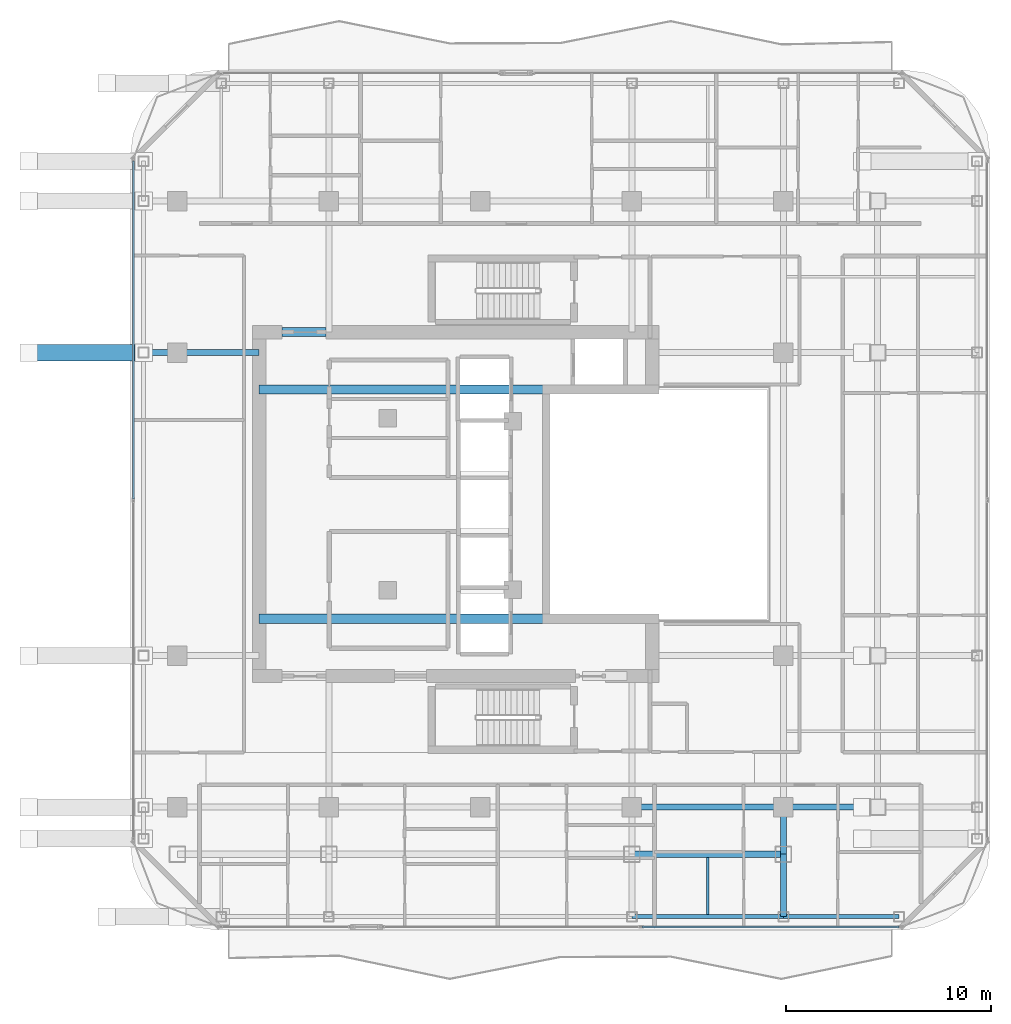
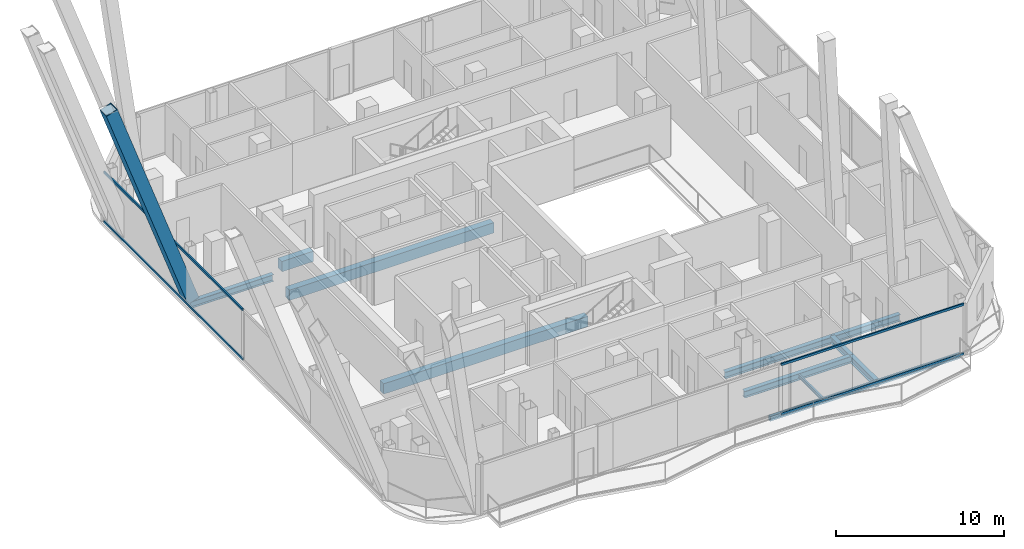
# One storey, part 6 of 27: 12 beams, 5 members, 2 elements without a shape of their own.
"""IFC4 building model written with IfcOpenShell, lengths in metres."""

from ifc_helpers import new_model, si_unit, direction, frame, origin, origin_2d, place, context, subcontext, project, spatial, rectangle, hollow_rectangle, i_section, extrude, material, layer, layer_set, material_profile, profile_set, type_object, element, aggregate, save


model = new_model("IFC4")

# Units and contexts
model_context = context("Model", 3, precision=1e-05, world=origin(), true_north=direction((0.0, 1.0)))
body_context = subcontext(model_context, "Body", "Model", "MODEL_VIEW")
ifc_project = project(units=[si_unit("LENGTHUNIT", "METRE"), si_unit("AREAUNIT", "SQUARE_METRE"), si_unit("VOLUMEUNIT", "CUBIC_METRE"), si_unit("PLANEANGLEUNIT", "RADIAN"), si_unit("MASSUNIT", "GRAM", prefix="KILO")], contexts=[model_context])

# Site, building, storey
site_placement = place(None, origin())
site = spatial("IfcSite", under=ifc_project, at=site_placement, CompositionType="ELEMENT")
building_placement = place(site_placement, origin())
building = spatial("IfcBuilding", under=site, at=building_placement, Name="Khorvyn Point Tower", CompositionType="ELEMENT")
storey_placement = place(building_placement, frame((0.0, 0.0, 270.300048828125)))
storey = spatial("IfcBuildingStorey", under=building, at=storey_placement, Name="L66", CompositionType="ELEMENT", Elevation=270.300048828125)

# Curtain wall, members
ifc_material_1 = material(Name="Anodised aluminium 6063-T6 and laminated Low-E glass", Category="aluminium")
ifc_layer = layer(ifc_material_1, 0.18994140625)
ifc_layer_set = layer_set([ifc_layer], Name="Stick-Built High-Wind Curtain Wall CW-SYS-04")
curtain_wall_type = type_object("IfcCurtainWallType", Name="Stick-Built High-Wind Curtain Wall CW-SYS-04", PredefinedType="NOTDEFINED", material=ifc_layer_set)
curtain_wall_1_placement = place(storey_placement, origin())
curtain_wall_1 = element("IfcCurtainWall", 1, at=curtain_wall_1_placement, inside=storey, type_object=curtain_wall_type, Name="Curtain Wall", PredefinedType="NOTDEFINED")
ifc_material_2 = material(Name="Anodised aluminium 6063-T6", Category="aluminium")
ifc_material_profile_1 = material_profile(ifc_material_2, hollow_rectangle(XDim=0.10009765625, YDim=0.159912109375, WallThickness=0.00439453125, at=origin_2d()))
ifc_profile_set_1 = profile_set([ifc_material_profile_1], Name="Anodised aluminium 6063-T6 ALU-TRN-100x160")
member_type_1 = type_object("IfcMemberType", Name="Anodised Aluminium 6063-T6 Transom ALU-TRN-100x160", PredefinedType="USERDEFINED", material=ifc_profile_set_1)
member_1_placement = place(storey_placement, frame((20.449951171875, -20.64990234375, 0.050048828125), z_axis=(-1.0, 0.0, 0.0), x_axis=(0.0, -1.0, 0.0)))
member_1 = element("IfcMember", 2, at=member_1_placement, type_object=member_type_1, Name="Transom", ObjectType="TRANSOM", PredefinedType="USERDEFINED", context=body_context, shape_type="SweptSolid", body=[
    extrude(hollow_rectangle(XDim=0.10009765625, YDim=0.159912109375, WallThickness=0.00439453125, at=origin_2d()), origin(), (0.0, 0.0, 1.0), 12.54638671875),
])
member_2_placement = place(storey_placement, frame((20.449951171875, -20.64990234375, 3.6298828125), z_axis=(-1.0, 0.0, 0.0), x_axis=(0.0, -1.0, 0.0)))
member_2 = element("IfcMember", 3, at=member_2_placement, type_object=member_type_1, Name="Transom", ObjectType="TRANSOM", PredefinedType="USERDEFINED", context=body_context, shape_type="SweptSolid", body=[
    extrude(hollow_rectangle(XDim=0.10009765625, YDim=0.159912109375, WallThickness=0.00439453125, at=origin_2d()), origin(), (0.0, 0.0, 1.0), 12.54638671875),
])
aggregate(curtain_wall_1, [member_1, member_2])

curtain_wall_2_placement = place(storey_placement, origin())
curtain_wall_2 = element("IfcCurtainWall", 4, at=curtain_wall_2_placement, inside=storey, type_object=curtain_wall_type, Name="Curtain Wall", PredefinedType="NOTDEFINED")
member_3_placement = place(storey_placement, frame((-16.949951171875, 0.25, 0.050048828125), z_axis=(0.0, 1.0, 0.0), x_axis=(-1.0, 0.0, 0.0)))
member_3 = element("IfcMember", 5, at=member_3_placement, type_object=member_type_1, Name="Transom", ObjectType="TRANSOM", PredefinedType="USERDEFINED", context=body_context, shape_type="SweptSolid", body=[
    extrude(hollow_rectangle(XDim=0.10009765625, YDim=0.159912109375, WallThickness=0.00439453125, at=origin_2d()), origin(), (0.0, 0.0, 1.0), 16.5),
])
member_4_placement = place(storey_placement, frame((-16.949951171875, 0.25, 3.6298828125), z_axis=(0.0, 1.0, 0.0), x_axis=(-1.0, 0.0, 0.0)))
member_4 = element("IfcMember", 6, at=member_4_placement, type_object=member_type_1, Name="Transom", ObjectType="TRANSOM", PredefinedType="USERDEFINED", context=body_context, shape_type="SweptSolid", body=[
    extrude(hollow_rectangle(XDim=0.10009765625, YDim=0.159912109375, WallThickness=0.00439453125, at=origin_2d()), origin(), (0.0, 0.0, 1.0), 16.5),
])
aggregate(curtain_wall_2, [member_3, member_4])

# Beams
ifc_material_3 = material(Name="Concrete C40/50", Category="concrete")
ifc_material_profile_2 = material_profile(ifc_material_3, rectangle(XDim=0.449951171875, YDim=0.75, at=origin_2d()))
ifc_profile_set_2 = profile_set([ifc_material_profile_2], Name="Concrete C40/50 RC450x750")
beam_type_1 = type_object("IfcBeamType", Name="Concrete C40/50 Beam RC450x750", PredefinedType="BEAM", material=ifc_profile_set_2)
for number, where, z_axis, x_axis, name in (
    (7, (-10.800048828125, -5.60009765625, -0.594970703125), (1.0, 0.0, 0.0), (0.0, 1.0, 0.0), "L66 Core Internal Tie Girder S"),
    (8, (-10.800048828125, 5.60009765625, -0.594970703125), (1.0, 0.0, 0.0), (0.0, 1.0, 0.0), "L66 Core Internal Tie Girder N"),
):
    element("IfcBeam", number, at=place(storey_placement, frame(where, z_axis=z_axis, x_axis=x_axis)), inside=storey, type_object=beam_type_1, Name=name, PredefinedType="BEAM", context=body_context, shape_type="SweptSolid", body=[
        extrude(rectangle(XDim=0.449951171875, YDim=0.75, at=origin_2d()), origin(), (0.0, 0.0, 1.0), 14.02001953125),
    ])
beam_1_placement = place(storey_placement, frame((-9.699951171875, 8.39990234375, -0.594970703125), z_axis=(1.0, 0.0, 0.0), x_axis=(0.0, 1.0, 0.0)))
element("IfcBeam", 9, at=beam_1_placement, inside=storey, type_object=beam_type_1, Name="L66 Core Northwest Portal Coupling Beam", PredefinedType="BEAM", context=body_context, shape_type="SweptSolid", body=[
    extrude(rectangle(XDim=0.449951171875, YDim=0.75, at=origin_2d()), origin(), (0.0, 0.0, 1.0), 2.14990234375),
])
ifc_material_4 = material(Name="Steel S355", Category="steel")
ifc_material_profile_3 = material_profile(ifc_material_4, i_section(OverallWidth=0.125, OverallDepth=0.25, WebThickness=0.006103515625, FlangeThickness=0.009033203125, at=origin_2d()))
ifc_profile_set_3 = profile_set([ifc_material_profile_3], Name="Steel S355 H250x125x6x9")
beam_type_2 = type_object("IfcBeamType", Name="Steel S355 Joist H250x125x6x9", PredefinedType="JOIST", material=ifc_profile_set_3)
beam_2_placement = place(storey_placement, frame((11.10009765625, -20.050048828125, -0.344970703125), z_axis=(0.0, 1.0, 0.0), x_axis=(-1.0, 0.0, 0.0)))
element("IfcBeam", 10, at=beam_2_placement, inside=storey, type_object=beam_type_2, Name="Beam", PredefinedType="JOIST", context=body_context, shape_type="SweptSolid", body=[
    extrude(i_section(OverallWidth=0.125, OverallDepth=0.25, WebThickness=0.006103515625, FlangeThickness=0.009033203125, at=origin_2d()), origin(), (0.0, 0.0, 1.0), 2.800048828125),
])
ifc_material_profile_4 = material_profile(ifc_material_4, i_section(OverallWidth=0.300048828125, OverallDepth=0.488037109375, WebThickness=0.010986328125, FlangeThickness=0.01806640625, at=origin_2d()))
ifc_profile_set_4 = profile_set([ifc_material_profile_4], Name="Steel S355 H488x300x11x18")
beam_type_3 = type_object("IfcBeamType", Name="Steel S355 Spandrel H488x300x11x18", PredefinedType="SPANDREL", material=ifc_profile_set_4)
beam_3_placement = place(storey_placement, frame((7.39990234375, -14.800048828125, -0.464111328125), z_axis=(1.0, 0.0, 0.0), x_axis=(0.0, 1.0, 0.0)))
element("IfcBeam", 11, at=beam_3_placement, inside=storey, type_object=beam_type_3, Name="Beam", PredefinedType="SPANDREL", context=body_context, shape_type="SweptSolid", body=[
    extrude(i_section(OverallWidth=0.300048828125, OverallDepth=0.488037109375, WebThickness=0.010986328125, FlangeThickness=0.01806640625, at=origin_2d()), origin(), (0.0, 0.0, 1.0), 7.400146484375),
])
beam_4_placement = place(storey_placement, frame((14.800048828125, -14.800048828125, -0.464111328125), z_axis=(1.0, 0.0, 0.0), x_axis=(0.0, 1.0, 0.0)))
element("IfcBeam", 12, at=beam_4_placement, inside=storey, type_object=beam_type_3, Name="Beam", PredefinedType="SPANDREL", context=body_context, shape_type="SweptSolid", body=[
    extrude(i_section(OverallWidth=0.300048828125, OverallDepth=0.488037109375, WebThickness=0.010986328125, FlangeThickness=0.01806640625, at=origin_2d()), origin(), (0.0, 0.0, 1.0), 4.599853515625),
])
beam_5_placement = place(storey_placement, frame((-16.449951171875, 7.39990234375, -0.464111328125), z_axis=(1.0, 0.0, 0.0), x_axis=(0.0, 1.0, 0.0)))
element("IfcBeam", 13, at=beam_5_placement, inside=storey, type_object=beam_type_3, Name="Beam", PredefinedType="SPANDREL", context=body_context, shape_type="SweptSolid", body=[
    extrude(i_section(OverallWidth=0.300048828125, OverallDepth=0.488037109375, WebThickness=0.010986328125, FlangeThickness=0.01806640625, at=origin_2d()), origin(), (0.0, 0.0, 1.0), 5.64990234375),
])
beam_6_placement = place(storey_placement, frame((7.39990234375, -17.10009765625, -0.464111328125), z_axis=(1.0, 0.0, 0.0), x_axis=(0.0, 1.0, 0.0)))
element("IfcBeam", 14, at=beam_6_placement, inside=storey, type_object=beam_type_3, Name="Beam", PredefinedType="SPANDREL", context=body_context, shape_type="SweptSolid", body=[
    extrude(i_section(OverallWidth=0.300048828125, OverallDepth=0.488037109375, WebThickness=0.010986328125, FlangeThickness=0.01806640625, at=origin_2d()), origin(), (0.0, 0.0, 1.0), 7.400146484375),
])
beam_7_placement = place(storey_placement, frame((14.800048828125, -20.14990234375, -0.464111328125), z_axis=(0.0, 1.0, 0.0), x_axis=(-1.0, 0.0, 0.0)))
element("IfcBeam", 15, at=beam_7_placement, inside=storey, type_object=beam_type_3, Name="Beam", PredefinedType="SPANDREL", context=body_context, shape_type="SweptSolid", body=[
    extrude(i_section(OverallWidth=0.300048828125, OverallDepth=0.488037109375, WebThickness=0.010986328125, FlangeThickness=0.01806640625, at=origin_2d()), origin(), (0.0, 0.0, 1.0), 3.0498046875),
])
beam_8_placement = place(storey_placement, frame((14.800048828125, -17.10009765625, -0.464111328125), z_axis=(0.0, 1.0, 0.0), x_axis=(-1.0, 0.0, 0.0)))
element("IfcBeam", 16, at=beam_8_placement, inside=storey, type_object=beam_type_3, Name="Beam", PredefinedType="SPANDREL", context=body_context, shape_type="SweptSolid", body=[
    extrude(i_section(OverallWidth=0.300048828125, OverallDepth=0.488037109375, WebThickness=0.010986328125, FlangeThickness=0.01806640625, at=origin_2d()), origin(), (0.0, 0.0, 1.0), 2.300048828125),
])
ifc_material_profile_5 = material_profile(ifc_material_4, hollow_rectangle(XDim=0.199951171875, YDim=0.35009765625, WallThickness=0.013916015625, at=origin_2d()))
ifc_profile_set_5 = profile_set([ifc_material_profile_5], Name="Steel S355 RHS350x200x14")
beam_type_4 = type_object("IfcBeamType", Name="Steel S355 Spandrel RHS350x200x14", PredefinedType="SPANDREL", material=ifc_profile_set_5)
beam_9_placement = place(storey_placement, frame((7.39990234375, -20.14990234375, -0.39501953125), z_axis=(1.0, 0.0, 0.0), x_axis=(0.0, 1.0, 0.0)))
element("IfcBeam", 17, at=beam_9_placement, inside=storey, type_object=beam_type_4, Name="Beam", PredefinedType="SPANDREL", context=body_context, shape_type="SweptSolid", body=[
    extrude(hollow_rectangle(XDim=0.199951171875, YDim=0.35009765625, WallThickness=0.013916015625, at=origin_2d()), origin(), (0.0, 0.0, 1.0), 7.400146484375),
])
beam_10_placement = place(storey_placement, frame((14.800048828125, -20.14990234375, -0.39501953125), z_axis=(1.0, 0.0, 0.0), x_axis=(0.0, 1.0, 0.0)))
element("IfcBeam", 18, at=beam_10_placement, inside=storey, type_object=beam_type_4, Name="Beam", PredefinedType="SPANDREL", context=body_context, shape_type="SweptSolid", body=[
    extrude(hollow_rectangle(XDim=0.199951171875, YDim=0.35009765625, WallThickness=0.013916015625, at=origin_2d()), origin(), (0.0, 0.0, 1.0), 5.64990234375),
])

# Member
ifc_material_5 = material(Name="Steel S450", Category="steel")
ifc_material_profile_6 = material_profile(ifc_material_5, hollow_rectangle(XDim=0.800048828125, YDim=0.800048828125, WallThickness=0.035888671875, at=origin_2d()))
ifc_profile_set_6 = profile_set([ifc_material_profile_6], Name="Steel S450 BOX800x800x36")
member_type_2 = type_object("IfcMemberType", Name="Steel S450 Exoskeleton Structural Post BOX800x800x36", PredefinedType="POST", material=ifc_profile_set_6)
member_5_placement = place(storey_placement, frame((-16.449951171875, 7.39990234375, 0.0), z_axis=(-0.337872783366, 0.0, 0.941191788245), x_axis=(0.0, -1.0, 0.0)))
element("IfcMember", 19, at=member_5_placement, inside=storey, type_object=member_type_2, Name="L66 to L70 Exoskeleton Transfer Post 13", PredefinedType="POST", context=body_context, shape_type="SweptSolid", body=[
    extrude(hollow_rectangle(XDim=0.800048828125, YDim=0.800048828125, WallThickness=0.035888671875, at=origin_2d()), origin(), (0.0, 0.0, 1.0), 16.574462890625),
])

save(model, "model.ifc")
